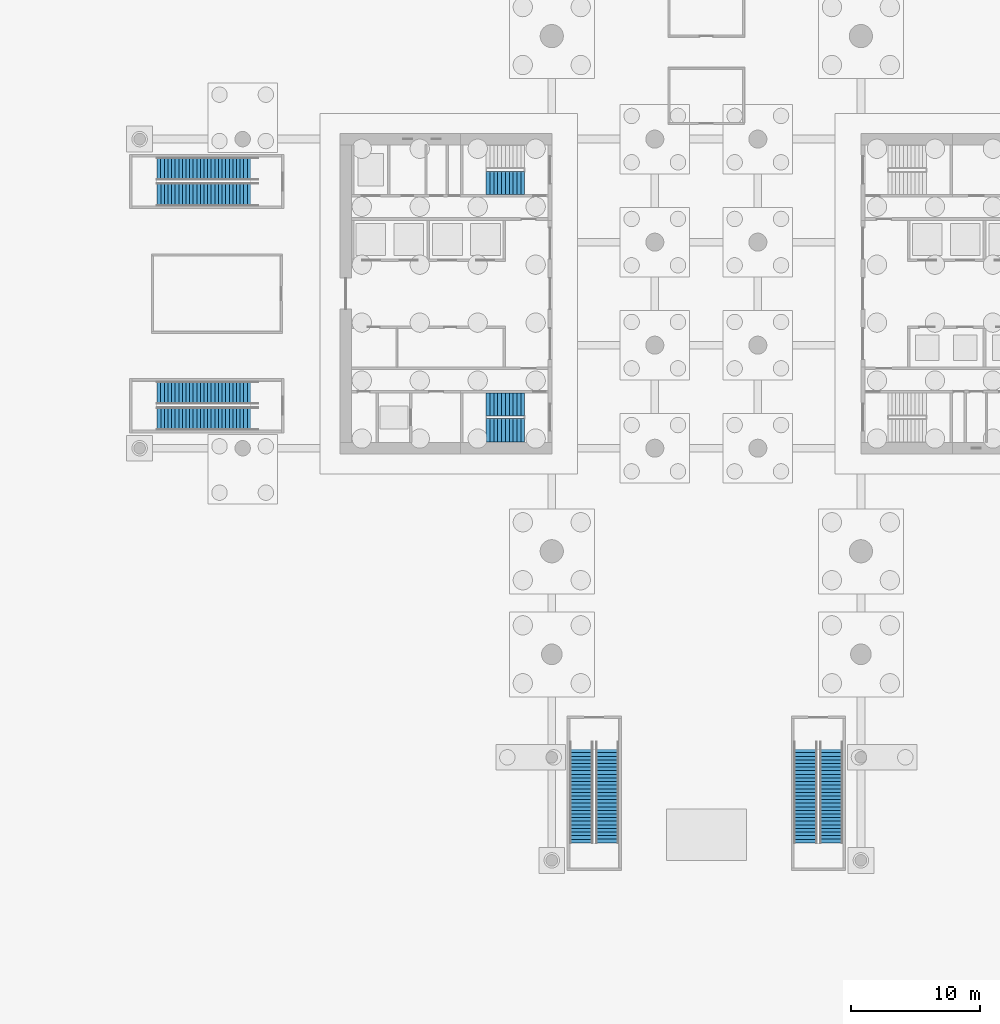
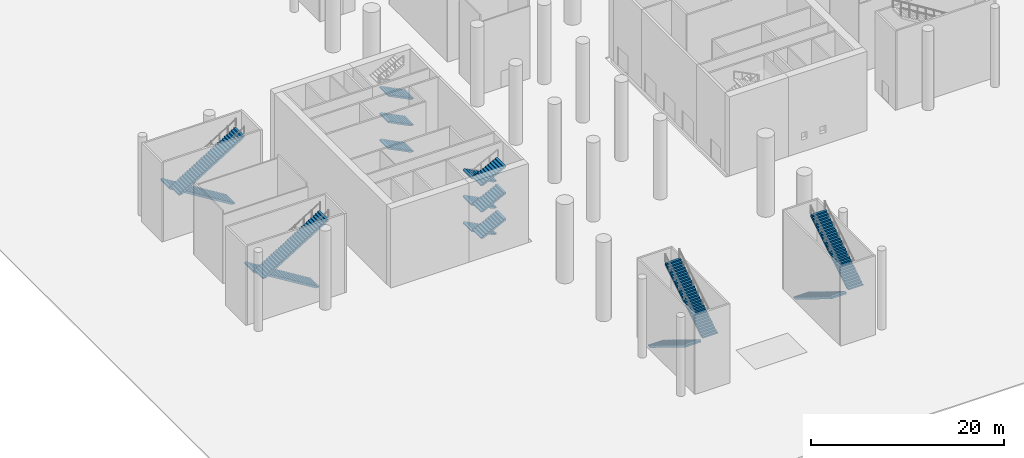
# One storey, part 8 of 14: 17 stair flights, 6 elements without a shape of their own.
"""IFC4 building model written with IfcOpenShell, lengths in metres."""

import ifcopenshell
import ifcopenshell.guid

model = None  # the IFC model being written
_history = None  # IfcOwnerHistory: only IFC2X3 demands one
_inside = {}  # id of a spatial element -> (the spatial element, [elements in it])
_under = {}  # id of a project, library or spatial element -> (it, [spatial elements below it])
_declared = {}  # id of a project -> (the project, [libraries it declares])
_typed = {}  # id of a type object -> (the type object, [elements of that type])
_made_of = {}  # id of a material, layer set ... -> (it, [elements and type objects made of it])


def new_model(schema):
    """Start an empty IFC model of exactly this schema.

    Asked for "IFC4X3", IfcOpenShell would pick the latest addendum, in which some entities
    have other attributes; the version numbers below select the first issue.
    IFC2X3 requires an IfcOwnerHistory on every rooted entity: one is made here for all.
    """
    global model, _history
    if schema == "IFC4X3":
        model = ifcopenshell.file(schema_version=(4, 3, 0, 0))
    else:
        model = ifcopenshell.file(schema=schema)
    _inside.clear()
    _under.clear()
    _declared.clear()
    _typed.clear()
    _made_of.clear()
    _history = None
    if model.schema == "IFC2X3":
        org = make("IfcOrganization", Name="unknown")
        user = make(
            "IfcPersonAndOrganization",
            ThePerson=make("IfcPerson", FamilyName="unknown"),
            TheOrganization=org,
        )
        app = make(
            "IfcApplication",
            ApplicationDeveloper=org,
            Version="unknown",
            ApplicationFullName="unknown",
            ApplicationIdentifier="unknown",
        )
        _history = make(
            "IfcOwnerHistory",
            OwningUser=user,
            OwningApplication=app,
            ChangeAction="ADDED",
            CreationDate=0,
        )
    return model


def make(cls, **values):
    """One entity of the class cls with the attributes given. An attribute that is None is left unset."""
    return model.create_entity(
        cls, **{name: value for name, value in values.items() if value is not None}
    )


def rooted(cls, **values):
    """An entity with a GlobalId (a new one), such as an element, a storey or a relation."""
    return make(cls, GlobalId=ifcopenshell.guid.new(), OwnerHistory=_history, **values)


def si_unit(unit_type, name, prefix=None):
    """IfcSIUnit, for example si_unit("LENGTHUNIT", "METRE", prefix="MILLI")."""
    return make("IfcSIUnit", UnitType=unit_type, Prefix=prefix, Name=name)


def assignment(units):
    """IfcUnitAssignment: the units of a project."""
    return None if units is None else make("IfcUnitAssignment", Units=units)


def point(xyz):
    """IfcCartesianPoint."""
    return None if xyz is None else make("IfcCartesianPoint", Coordinates=xyz)


def direction(xyz):
    """IfcDirection."""
    return None if xyz is None else make("IfcDirection", DirectionRatios=xyz)


def frame(location, z_axis=None, x_axis=None):
    """IfcAxis2Placement3D, a coordinate frame: its origin and axes. An axis left out is left unset."""
    return make(
        "IfcAxis2Placement3D",
        Location=point(location),
        Axis=direction(z_axis),
        RefDirection=direction(x_axis),
    )


def origin():
    """The frame at (0, 0, 0) with its axes left unset."""
    return frame((0.0, 0.0, 0.0))


def place(relative_to, where):
    """IfcLocalPlacement: puts the frame where relative to a parent placement (None: the world)."""
    return make(
        "IfcLocalPlacement", PlacementRelTo=relative_to, RelativePlacement=where
    )


def context(
    kind, dimensions, precision=None, world=None, true_north=None, identifier=None
):
    """IfcGeometricRepresentationContext, for example the 3D "Model" context."""
    return make(
        "IfcGeometricRepresentationContext",
        ContextIdentifier=identifier,
        ContextType=kind,
        CoordinateSpaceDimension=dimensions,
        Precision=precision,
        WorldCoordinateSystem=world,
        TrueNorth=true_north,
    )


def subcontext(parent, identifier, kind, view, scale=None):
    """IfcGeometricRepresentationSubContext, for example "Body" below "Model"."""
    return make(
        "IfcGeometricRepresentationSubContext",
        ContextIdentifier=identifier,
        ContextType=kind,
        ParentContext=parent,
        TargetScale=scale,
        TargetView=view,
    )


def project(units=None, contexts=None):
    """IfcProject with its units and contexts."""
    return rooted(
        "IfcProject",
        Name="project",
        RepresentationContexts=contexts,
        UnitsInContext=assignment(units),
    )


def spatial(cls, under=None, at=None, **own):
    """A site, building, storey or space (cls), placed at a placement, below another one or the project."""
    s = rooted(cls, ObjectPlacement=at, **own)
    if under is not None:
        _under.setdefault(under.id(), (under, []))[1].append(s)
    return s


def polyline(points):
    """IfcPolyline through the points."""
    return make("IfcPolyline", Points=[point(p) for p in points])


def outline(outer, holes=None, kind="AREA"):
    """IfcArbitraryClosedProfileDef: a profile drawn as a closed curve; with holes, ...WithVoids."""
    if holes is None:
        return make("IfcArbitraryClosedProfileDef", ProfileType=kind, OuterCurve=outer)
    return make(
        "IfcArbitraryProfileDefWithVoids",
        ProfileType=kind,
        OuterCurve=outer,
        InnerCurves=holes,
    )


def extrude(swept, where, along, depth):
    """IfcExtrudedAreaSolid: the profile swept, set in the frame where, extruded along a direction by depth."""
    return make(
        "IfcExtrudedAreaSolid",
        SweptArea=swept,
        Position=where,
        ExtrudedDirection=direction(along),
        Depth=depth,
    )


def shape(context_of_items, identifier, shape_type, items):
    """IfcShapeRepresentation: the items that make up one representation, for example the "Body"."""
    return make(
        "IfcShapeRepresentation",
        ContextOfItems=context_of_items,
        RepresentationIdentifier=identifier,
        RepresentationType=shape_type,
        Items=items,
    )


def material(Name=None, Category=None):
    """IfcMaterial."""
    return make("IfcMaterial", Name=Name, Category=Category)


def made_of(thing, what):
    """Note that an element or type object is made of a material, layer set ...; save() writes the relation."""
    if what is not None:
        _made_of.setdefault(what.id(), (what, []))[1].append(thing)
    return thing


def type_object(cls, material=None, **own):
    """A type object (cls), such as IfcWallType, which elements share."""
    return made_of(rooted(cls, **own), material)


def element(
    cls,
    number,
    at=None,
    inside=None,
    cuts=None,
    type_object=None,
    material=None,
    context=None,
    identifier="Body",
    shape_type=None,
    held_by="IfcProductDefinitionShape",
    body=None,
    shapes=None,
    **own,
):
    """One element of the class cls, such as IfcWall. Its Tag is "e" and its number.

    at: its placement. inside: the storey or other place that contains it. cuts: it is an
    opening in that element (IfcRelVoidsElement). A single representation is given by context,
    identifier, shape_type and body (its items); several are given by shapes. held_by: the class
    of the entity that holds the representations. save() writes the other relations.
    """
    e = rooted(cls, Tag="e%d" % number, ObjectPlacement=at, **own)
    if body is not None:
        shapes = [shape(context, identifier, shape_type, body)]
    if shapes is not None:
        e.Representation = make(held_by, Representations=shapes)
    if inside is not None:
        _inside.setdefault(inside.id(), (inside, []))[1].append(e)
    if cuts is not None:
        rooted(
            "IfcRelVoidsElement", RelatingBuildingElement=cuts, RelatedOpeningElement=e
        )
    if type_object is not None:
        _typed.setdefault(type_object.id(), (type_object, []))[1].append(e)
    return made_of(e, material)


def aggregate(whole, parts):
    """IfcRelAggregates: a whole, such as a stair, and the parts it consists of."""
    return rooted("IfcRelAggregates", RelatingObject=whole, RelatedObjects=parts)


def save(model, path):
    """Write the relations noted so far, then the file.

    IfcRelAggregates (storeys below a building ...), IfcRelContainedInSpatialStructure (elements
    in a storey), IfcRelDefinesByType, IfcRelAssociatesMaterial and IfcRelDeclares: one each for
    every whole, place, type object, material and project.
    """
    for whole, parts in _under.values():
        aggregate(whole, parts)
    for where, things in _inside.values():
        rooted(
            "IfcRelContainedInSpatialStructure",
            RelatedElements=things,
            RelatingStructure=where,
        )
    for kind, things in _typed.values():
        rooted("IfcRelDefinesByType", RelatedObjects=things, RelatingType=kind)
    for what, things in _made_of.values():
        rooted("IfcRelAssociatesMaterial", RelatedObjects=things, RelatingMaterial=what)
    for by, libraries in _declared.values():
        rooted("IfcRelDeclares", RelatingContext=by, RelatedDefinitions=libraries)
    model.write(path)


model = new_model("IFC4")

# Units and contexts
model_context = context("Model", 3, precision=1e-05, world=origin(), true_north=direction((0.0, 1.0)))
body_context = subcontext(model_context, "Body", "Model", "MODEL_VIEW")
ifc_project = project(units=[si_unit("LENGTHUNIT", "METRE"), si_unit("AREAUNIT", "SQUARE_METRE"), si_unit("VOLUMEUNIT", "CUBIC_METRE"), si_unit("PLANEANGLEUNIT", "RADIAN"), si_unit("MASSUNIT", "GRAM", prefix="KILO")], contexts=[model_context])

# Site, building, storey
site_placement = place(None, origin())
site = spatial("IfcSite", under=ifc_project, at=site_placement, CompositionType="ELEMENT")
building_placement = place(site_placement, origin())
building = spatial("IfcBuilding", under=site, at=building_placement, Name="Crosswind Convention Tower", CompositionType="ELEMENT")
storey_placement = place(building_placement, origin())
storey = spatial("IfcBuildingStorey", under=building, at=storey_placement, Name="L00", CompositionType="ELEMENT", Elevation=0.0)

# Stair, stair flights
ifc_material = material(Name="Concrete C40/50", Category="concrete")
stair_type_1 = type_object("IfcStairType", Name="PODIUM EXIT STAIR 10000 RISE", PredefinedType="HALF_TURN_STAIR", material=ifc_material)
stair_1_placement = place(storey_placement, origin())
stair_1 = element("IfcStair", 1, at=stair_1_placement, inside=storey, type_object=stair_type_1, Name="Exit stair S1 L00", ObjectType="ST10", PredefinedType="HALF_TURN_STAIR")
stair_flight_type_1 = type_object("IfcStairFlightType", Name="PODIUM STAIR FLIGHT 29 RISERS", PredefinedType="STRAIGHT", material=ifc_material)
stair_flight_1_placement = place(storey_placement, frame((115.300048828125, 65.199951171875, 0.0), z_axis=(0.0, 0.0, 1.0), x_axis=(0.0, -1.0, 0.0)))
stair_flight_1 = element("IfcStairFlight", 2, at=stair_flight_1_placement, type_object=stair_flight_type_1, Name="ST10 flight 1", NumberOfRisers=29, NumberOfTreads=28, PredefinedType="STRAIGHT", RiserHeight=0.172414, TreadLength=0.28, context=body_context, shape_type="SweptSolid", body=[
    extrude(outline(polyline([(0.0, 0.0), (0.0, 0.17236328125), (0.280029296875, 0.17236328125), (0.280029296875, 0.3447265625), (0.56005859375, 0.3447265625), (0.56005859375, 0.517333984375), (0.840087890625, 0.517333984375), (0.840087890625, 0.689697265625), (1.1201171875, 0.689697265625), (1.1201171875, 0.862060546875), (1.39990234375, 0.862060546875), (1.39990234375, 1.034423828125), (1.679931640625, 1.034423828125), (1.679931640625, 1.206787109375), (1.9599609375, 1.206787109375), (1.9599609375, 1.37939453125), (2.239990234375, 1.37939453125), (2.239990234375, 1.5517578125), (2.52001953125, 1.5517578125), (2.52001953125, 1.72412109375), (2.800048828125, 1.72412109375), (2.800048828125, 1.896484375), (3.080078125, 1.896484375), (3.080078125, 2.06884765625), (3.360107421875, 2.06884765625), (3.360107421875, 2.241455078125), (3.639892578125, 2.241455078125), (3.639892578125, 2.413818359375), (3.919921875, 2.413818359375), (3.919921875, 2.586181640625), (4.199951171875, 2.586181640625), (4.199951171875, 2.758544921875), (4.47998046875, 2.758544921875), (4.47998046875, 2.93115234375), (4.760009765625, 2.93115234375), (4.760009765625, 3.103515625), (5.0400390625, 3.103515625), (5.0400390625, 3.27587890625), (5.320068359375, 3.27587890625), (5.320068359375, 3.4482421875), (5.60009765625, 3.4482421875), (5.60009765625, 3.62060546875), (5.8798828125, 3.62060546875), (5.8798828125, 3.793212890625), (6.159912109375, 3.793212890625), (6.159912109375, 3.965576171875), (6.43994140625, 3.965576171875), (6.43994140625, 4.137939453125), (6.719970703125, 4.137939453125), (6.719970703125, 4.310302734375), (7.0, 4.310302734375), (7.0, 4.482666015625), (7.280029296875, 4.482666015625), (7.280029296875, 4.6552734375), (7.56005859375, 4.6552734375), (7.56005859375, 4.82763671875), (7.840087890625, 4.82763671875), (7.840087890625, 5.0), (7.840087890625, 4.5927734375), (0.38134765625, 0.0), (0.0, 0.0)])), frame((0.0, 0.89990234375, 0.0), z_axis=(0.0, -1.0, 0.0), x_axis=(1.0, 0.0, 0.0)), (0.0, 0.0, 1.0), 1.800048828125),
])
stair_flight_2_placement = place(storey_placement, frame((117.300048828125, 57.360107421875, 5.0), z_axis=(0.0, 0.0, 1.0), x_axis=(0.0, 1.0, 0.0)))
stair_flight_2 = element("IfcStairFlight", 3, at=stair_flight_2_placement, type_object=stair_flight_type_1, Name="ST10 flight 2", NumberOfRisers=29, NumberOfTreads=28, PredefinedType="STRAIGHT", RiserHeight=0.172414, TreadLength=0.28, context=body_context, shape_type="SweptSolid", body=[
    extrude(outline(polyline([(0.0, 0.0), (0.0, 0.17236328125), (0.280029296875, 0.17236328125), (0.280029296875, 0.3447265625), (0.56005859375, 0.3447265625), (0.56005859375, 0.517333984375), (0.840087890625, 0.517333984375), (0.840087890625, 0.689697265625), (1.1201171875, 0.689697265625), (1.1201171875, 0.862060546875), (1.39990234375, 0.862060546875), (1.39990234375, 1.034423828125), (1.679931640625, 1.034423828125), (1.679931640625, 1.206787109375), (1.9599609375, 1.206787109375), (1.9599609375, 1.37939453125), (2.239990234375, 1.37939453125), (2.239990234375, 1.5517578125), (2.52001953125, 1.5517578125), (2.52001953125, 1.72412109375), (2.800048828125, 1.72412109375), (2.800048828125, 1.896484375), (3.080078125, 1.896484375), (3.080078125, 2.06884765625), (3.360107421875, 2.06884765625), (3.360107421875, 2.241455078125), (3.639892578125, 2.241455078125), (3.639892578125, 2.413818359375), (3.919921875, 2.413818359375), (3.919921875, 2.586181640625), (4.199951171875, 2.586181640625), (4.199951171875, 2.758544921875), (4.47998046875, 2.758544921875), (4.47998046875, 2.93115234375), (4.760009765625, 2.93115234375), (4.760009765625, 3.103515625), (5.0400390625, 3.103515625), (5.0400390625, 3.27587890625), (5.320068359375, 3.27587890625), (5.320068359375, 3.4482421875), (5.60009765625, 3.4482421875), (5.60009765625, 3.62060546875), (5.8798828125, 3.62060546875), (5.8798828125, 3.793212890625), (6.159912109375, 3.793212890625), (6.159912109375, 3.965576171875), (6.43994140625, 3.965576171875), (6.43994140625, 4.137939453125), (6.719970703125, 4.137939453125), (6.719970703125, 4.310302734375), (7.0, 4.310302734375), (7.0, 4.482666015625), (7.280029296875, 4.482666015625), (7.280029296875, 4.6552734375), (7.56005859375, 4.6552734375), (7.56005859375, 4.82763671875), (7.840087890625, 4.82763671875), (7.840087890625, 5.0), (7.840087890625, 4.5927734375), (0.38134765625, 0.0), (0.0, 0.0)])), frame((0.0, 0.89990234375, 0.0), z_axis=(0.0, -1.0, 0.0), x_axis=(1.0, 0.0, 0.0)), (0.0, 0.0, 1.0), 1.800048828125),
])
aggregate(stair_1, [stair_flight_1, stair_flight_2])

stair_2_placement = place(storey_placement, origin())
stair_2 = element("IfcStair", 4, at=stair_2_placement, inside=storey, type_object=stair_type_1, Name="Exit stair S2 L00", ObjectType="ST10", PredefinedType="HALF_TURN_STAIR")
stair_flight_3_placement = place(storey_placement, frame((132.699951171875, 65.199951171875, 0.0), z_axis=(0.0, 0.0, 1.0), x_axis=(0.0, -1.0, 0.0)))
stair_flight_3 = element("IfcStairFlight", 5, at=stair_flight_3_placement, type_object=stair_flight_type_1, Name="ST10 flight 1", NumberOfRisers=29, NumberOfTreads=28, PredefinedType="STRAIGHT", RiserHeight=0.172414, TreadLength=0.28, context=body_context, shape_type="SweptSolid", body=[
    extrude(outline(polyline([(0.0, 0.0), (0.0, 0.17236328125), (0.280029296875, 0.17236328125), (0.280029296875, 0.3447265625), (0.56005859375, 0.3447265625), (0.56005859375, 0.517333984375), (0.840087890625, 0.517333984375), (0.840087890625, 0.689697265625), (1.1201171875, 0.689697265625), (1.1201171875, 0.862060546875), (1.39990234375, 0.862060546875), (1.39990234375, 1.034423828125), (1.679931640625, 1.034423828125), (1.679931640625, 1.206787109375), (1.9599609375, 1.206787109375), (1.9599609375, 1.37939453125), (2.239990234375, 1.37939453125), (2.239990234375, 1.5517578125), (2.52001953125, 1.5517578125), (2.52001953125, 1.72412109375), (2.800048828125, 1.72412109375), (2.800048828125, 1.896484375), (3.080078125, 1.896484375), (3.080078125, 2.06884765625), (3.360107421875, 2.06884765625), (3.360107421875, 2.241455078125), (3.639892578125, 2.241455078125), (3.639892578125, 2.413818359375), (3.919921875, 2.413818359375), (3.919921875, 2.586181640625), (4.199951171875, 2.586181640625), (4.199951171875, 2.758544921875), (4.47998046875, 2.758544921875), (4.47998046875, 2.93115234375), (4.760009765625, 2.93115234375), (4.760009765625, 3.103515625), (5.0400390625, 3.103515625), (5.0400390625, 3.27587890625), (5.320068359375, 3.27587890625), (5.320068359375, 3.4482421875), (5.60009765625, 3.4482421875), (5.60009765625, 3.62060546875), (5.8798828125, 3.62060546875), (5.8798828125, 3.793212890625), (6.159912109375, 3.793212890625), (6.159912109375, 3.965576171875), (6.43994140625, 3.965576171875), (6.43994140625, 4.137939453125), (6.719970703125, 4.137939453125), (6.719970703125, 4.310302734375), (7.0, 4.310302734375), (7.0, 4.482666015625), (7.280029296875, 4.482666015625), (7.280029296875, 4.6552734375), (7.56005859375, 4.6552734375), (7.56005859375, 4.82763671875), (7.840087890625, 4.82763671875), (7.840087890625, 5.0), (7.840087890625, 4.5927734375), (0.38134765625, 0.0), (0.0, 0.0)])), frame((0.0, 0.89990234375, 0.0), z_axis=(0.0, -1.0, 0.0), x_axis=(1.0, 0.0, 0.0)), (0.0, 0.0, 1.0), 1.800048828125),
])
stair_flight_4_placement = place(storey_placement, frame((134.699951171875, 57.360107421875, 5.0), z_axis=(0.0, 0.0, 1.0), x_axis=(0.0, 1.0, 0.0)))
stair_flight_4 = element("IfcStairFlight", 6, at=stair_flight_4_placement, type_object=stair_flight_type_1, Name="ST10 flight 2", NumberOfRisers=29, NumberOfTreads=28, PredefinedType="STRAIGHT", RiserHeight=0.172414, TreadLength=0.28, context=body_context, shape_type="SweptSolid", body=[
    extrude(outline(polyline([(0.0, 0.0), (0.0, 0.17236328125), (0.280029296875, 0.17236328125), (0.280029296875, 0.3447265625), (0.56005859375, 0.3447265625), (0.56005859375, 0.517333984375), (0.840087890625, 0.517333984375), (0.840087890625, 0.689697265625), (1.1201171875, 0.689697265625), (1.1201171875, 0.862060546875), (1.39990234375, 0.862060546875), (1.39990234375, 1.034423828125), (1.679931640625, 1.034423828125), (1.679931640625, 1.206787109375), (1.9599609375, 1.206787109375), (1.9599609375, 1.37939453125), (2.239990234375, 1.37939453125), (2.239990234375, 1.5517578125), (2.52001953125, 1.5517578125), (2.52001953125, 1.72412109375), (2.800048828125, 1.72412109375), (2.800048828125, 1.896484375), (3.080078125, 1.896484375), (3.080078125, 2.06884765625), (3.360107421875, 2.06884765625), (3.360107421875, 2.241455078125), (3.639892578125, 2.241455078125), (3.639892578125, 2.413818359375), (3.919921875, 2.413818359375), (3.919921875, 2.586181640625), (4.199951171875, 2.586181640625), (4.199951171875, 2.758544921875), (4.47998046875, 2.758544921875), (4.47998046875, 2.93115234375), (4.760009765625, 2.93115234375), (4.760009765625, 3.103515625), (5.0400390625, 3.103515625), (5.0400390625, 3.27587890625), (5.320068359375, 3.27587890625), (5.320068359375, 3.4482421875), (5.60009765625, 3.4482421875), (5.60009765625, 3.62060546875), (5.8798828125, 3.62060546875), (5.8798828125, 3.793212890625), (6.159912109375, 3.793212890625), (6.159912109375, 3.965576171875), (6.43994140625, 3.965576171875), (6.43994140625, 4.137939453125), (6.719970703125, 4.137939453125), (6.719970703125, 4.310302734375), (7.0, 4.310302734375), (7.0, 4.482666015625), (7.280029296875, 4.482666015625), (7.280029296875, 4.6552734375), (7.56005859375, 4.6552734375), (7.56005859375, 4.82763671875), (7.840087890625, 4.82763671875), (7.840087890625, 5.0), (7.840087890625, 4.5927734375), (0.38134765625, 0.0), (0.0, 0.0)])), frame((0.0, 0.89990234375, 0.0), z_axis=(0.0, -1.0, 0.0), x_axis=(1.0, 0.0, 0.0)), (0.0, 0.0, 1.0), 1.800048828125),
])
aggregate(stair_2, [stair_flight_3, stair_flight_4])

stair_3_placement = place(storey_placement, origin())
stair_3 = element("IfcStair", 7, at=stair_3_placement, inside=storey, type_object=stair_type_1, Name="Exit stair W1 L00", ObjectType="ST10", PredefinedType="HALF_TURN_STAIR")
stair_flight_5_placement = place(storey_placement, frame((90.199951171875, 92.300048828125, 0.0), z_axis=(0.0, 0.0, 1.0), x_axis=(-1.0, 0.0, 0.0)))
stair_flight_5 = element("IfcStairFlight", 8, at=stair_flight_5_placement, type_object=stair_flight_type_1, Name="ST10 flight 1", NumberOfRisers=29, NumberOfTreads=28, PredefinedType="STRAIGHT", RiserHeight=0.172414, TreadLength=0.28, context=body_context, shape_type="SweptSolid", body=[
    extrude(outline(polyline([(0.0, 0.0), (0.0, 0.17236328125), (0.280029296875, 0.17236328125), (0.280029296875, 0.3447265625), (0.56005859375, 0.3447265625), (0.56005859375, 0.517333984375), (0.840087890625, 0.517333984375), (0.840087890625, 0.689697265625), (1.1201171875, 0.689697265625), (1.1201171875, 0.862060546875), (1.39990234375, 0.862060546875), (1.39990234375, 1.034423828125), (1.679931640625, 1.034423828125), (1.679931640625, 1.206787109375), (1.9599609375, 1.206787109375), (1.9599609375, 1.37939453125), (2.239990234375, 1.37939453125), (2.239990234375, 1.5517578125), (2.52001953125, 1.5517578125), (2.52001953125, 1.72412109375), (2.800048828125, 1.72412109375), (2.800048828125, 1.896484375), (3.080078125, 1.896484375), (3.080078125, 2.06884765625), (3.360107421875, 2.06884765625), (3.360107421875, 2.241455078125), (3.639892578125, 2.241455078125), (3.639892578125, 2.413818359375), (3.919921875, 2.413818359375), (3.919921875, 2.586181640625), (4.199951171875, 2.586181640625), (4.199951171875, 2.758544921875), (4.47998046875, 2.758544921875), (4.47998046875, 2.93115234375), (4.760009765625, 2.93115234375), (4.760009765625, 3.103515625), (5.0400390625, 3.103515625), (5.0400390625, 3.27587890625), (5.320068359375, 3.27587890625), (5.320068359375, 3.4482421875), (5.60009765625, 3.4482421875), (5.60009765625, 3.62060546875), (5.8798828125, 3.62060546875), (5.8798828125, 3.793212890625), (6.159912109375, 3.793212890625), (6.159912109375, 3.965576171875), (6.43994140625, 3.965576171875), (6.43994140625, 4.137939453125), (6.719970703125, 4.137939453125), (6.719970703125, 4.310302734375), (7.0, 4.310302734375), (7.0, 4.482666015625), (7.280029296875, 4.482666015625), (7.280029296875, 4.6552734375), (7.56005859375, 4.6552734375), (7.56005859375, 4.82763671875), (7.840087890625, 4.82763671875), (7.840087890625, 5.0), (7.840087890625, 4.5927734375), (0.38134765625, 0.0), (0.0, 0.0)])), frame((0.0, 0.89990234375, 0.0), z_axis=(0.0, -1.0, 0.0), x_axis=(1.0, 0.0, 0.0)), (0.0, 0.0, 1.0), 1.800048828125),
])
stair_flight_6_placement = place(storey_placement, frame((82.360107421875, 90.300048828125, 5.0), z_axis=(0.0, 0.0, 1.0), x_axis=(1.0, 0.0, 0.0)))
stair_flight_6 = element("IfcStairFlight", 9, at=stair_flight_6_placement, type_object=stair_flight_type_1, Name="ST10 flight 2", NumberOfRisers=29, NumberOfTreads=28, PredefinedType="STRAIGHT", RiserHeight=0.172414, TreadLength=0.28, context=body_context, shape_type="SweptSolid", body=[
    extrude(outline(polyline([(0.0, 0.0), (0.0, 0.17236328125), (0.280029296875, 0.17236328125), (0.280029296875, 0.3447265625), (0.56005859375, 0.3447265625), (0.56005859375, 0.517333984375), (0.840087890625, 0.517333984375), (0.840087890625, 0.689697265625), (1.1201171875, 0.689697265625), (1.1201171875, 0.862060546875), (1.39990234375, 0.862060546875), (1.39990234375, 1.034423828125), (1.679931640625, 1.034423828125), (1.679931640625, 1.206787109375), (1.9599609375, 1.206787109375), (1.9599609375, 1.37939453125), (2.239990234375, 1.37939453125), (2.239990234375, 1.5517578125), (2.52001953125, 1.5517578125), (2.52001953125, 1.72412109375), (2.800048828125, 1.72412109375), (2.800048828125, 1.896484375), (3.080078125, 1.896484375), (3.080078125, 2.06884765625), (3.360107421875, 2.06884765625), (3.360107421875, 2.241455078125), (3.639892578125, 2.241455078125), (3.639892578125, 2.413818359375), (3.919921875, 2.413818359375), (3.919921875, 2.586181640625), (4.199951171875, 2.586181640625), (4.199951171875, 2.758544921875), (4.47998046875, 2.758544921875), (4.47998046875, 2.93115234375), (4.760009765625, 2.93115234375), (4.760009765625, 3.103515625), (5.0400390625, 3.103515625), (5.0400390625, 3.27587890625), (5.320068359375, 3.27587890625), (5.320068359375, 3.4482421875), (5.60009765625, 3.4482421875), (5.60009765625, 3.62060546875), (5.8798828125, 3.62060546875), (5.8798828125, 3.793212890625), (6.159912109375, 3.793212890625), (6.159912109375, 3.965576171875), (6.43994140625, 3.965576171875), (6.43994140625, 4.137939453125), (6.719970703125, 4.137939453125), (6.719970703125, 4.310302734375), (7.0, 4.310302734375), (7.0, 4.482666015625), (7.280029296875, 4.482666015625), (7.280029296875, 4.6552734375), (7.56005859375, 4.6552734375), (7.56005859375, 4.82763671875), (7.840087890625, 4.82763671875), (7.840087890625, 5.0), (7.840087890625, 4.5927734375), (0.38134765625, 0.0), (0.0, 0.0)])), frame((0.0, 0.89990234375, 0.0), z_axis=(0.0, -1.0, 0.0), x_axis=(1.0, 0.0, 0.0)), (0.0, 0.0, 1.0), 1.800048828125),
])
aggregate(stair_3, [stair_flight_5, stair_flight_6])

stair_4_placement = place(storey_placement, origin())
stair_4 = element("IfcStair", 10, at=stair_4_placement, inside=storey, type_object=stair_type_1, Name="Exit stair W2 L00", ObjectType="ST10", PredefinedType="HALF_TURN_STAIR")
stair_flight_7_placement = place(storey_placement, frame((90.199951171875, 109.699951171875, 0.0), z_axis=(0.0, 0.0, 1.0), x_axis=(-1.0, 0.0, 0.0)))
stair_flight_7 = element("IfcStairFlight", 11, at=stair_flight_7_placement, type_object=stair_flight_type_1, Name="ST10 flight 1", NumberOfRisers=29, NumberOfTreads=28, PredefinedType="STRAIGHT", RiserHeight=0.172414, TreadLength=0.28, context=body_context, shape_type="SweptSolid", body=[
    extrude(outline(polyline([(0.0, 0.0), (0.0, 0.17236328125), (0.280029296875, 0.17236328125), (0.280029296875, 0.3447265625), (0.56005859375, 0.3447265625), (0.56005859375, 0.517333984375), (0.840087890625, 0.517333984375), (0.840087890625, 0.689697265625), (1.1201171875, 0.689697265625), (1.1201171875, 0.862060546875), (1.39990234375, 0.862060546875), (1.39990234375, 1.034423828125), (1.679931640625, 1.034423828125), (1.679931640625, 1.206787109375), (1.9599609375, 1.206787109375), (1.9599609375, 1.37939453125), (2.239990234375, 1.37939453125), (2.239990234375, 1.5517578125), (2.52001953125, 1.5517578125), (2.52001953125, 1.72412109375), (2.800048828125, 1.72412109375), (2.800048828125, 1.896484375), (3.080078125, 1.896484375), (3.080078125, 2.06884765625), (3.360107421875, 2.06884765625), (3.360107421875, 2.241455078125), (3.639892578125, 2.241455078125), (3.639892578125, 2.413818359375), (3.919921875, 2.413818359375), (3.919921875, 2.586181640625), (4.199951171875, 2.586181640625), (4.199951171875, 2.758544921875), (4.47998046875, 2.758544921875), (4.47998046875, 2.93115234375), (4.760009765625, 2.93115234375), (4.760009765625, 3.103515625), (5.0400390625, 3.103515625), (5.0400390625, 3.27587890625), (5.320068359375, 3.27587890625), (5.320068359375, 3.4482421875), (5.60009765625, 3.4482421875), (5.60009765625, 3.62060546875), (5.8798828125, 3.62060546875), (5.8798828125, 3.793212890625), (6.159912109375, 3.793212890625), (6.159912109375, 3.965576171875), (6.43994140625, 3.965576171875), (6.43994140625, 4.137939453125), (6.719970703125, 4.137939453125), (6.719970703125, 4.310302734375), (7.0, 4.310302734375), (7.0, 4.482666015625), (7.280029296875, 4.482666015625), (7.280029296875, 4.6552734375), (7.56005859375, 4.6552734375), (7.56005859375, 4.82763671875), (7.840087890625, 4.82763671875), (7.840087890625, 5.0), (7.840087890625, 4.5927734375), (0.38134765625, 0.0), (0.0, 0.0)])), frame((0.0, 0.89990234375, 0.0), z_axis=(0.0, -1.0, 0.0), x_axis=(1.0, 0.0, 0.0)), (0.0, 0.0, 1.0), 1.800048828125),
])
stair_flight_8_placement = place(storey_placement, frame((82.360107421875, 107.699951171875, 5.0), z_axis=(0.0, 0.0, 1.0), x_axis=(1.0, 0.0, 0.0)))
stair_flight_8 = element("IfcStairFlight", 12, at=stair_flight_8_placement, type_object=stair_flight_type_1, Name="ST10 flight 2", NumberOfRisers=29, NumberOfTreads=28, PredefinedType="STRAIGHT", RiserHeight=0.172414, TreadLength=0.28, context=body_context, shape_type="SweptSolid", body=[
    extrude(outline(polyline([(0.0, 0.0), (0.0, 0.17236328125), (0.280029296875, 0.17236328125), (0.280029296875, 0.3447265625), (0.56005859375, 0.3447265625), (0.56005859375, 0.517333984375), (0.840087890625, 0.517333984375), (0.840087890625, 0.689697265625), (1.1201171875, 0.689697265625), (1.1201171875, 0.862060546875), (1.39990234375, 0.862060546875), (1.39990234375, 1.034423828125), (1.679931640625, 1.034423828125), (1.679931640625, 1.206787109375), (1.9599609375, 1.206787109375), (1.9599609375, 1.37939453125), (2.239990234375, 1.37939453125), (2.239990234375, 1.5517578125), (2.52001953125, 1.5517578125), (2.52001953125, 1.72412109375), (2.800048828125, 1.72412109375), (2.800048828125, 1.896484375), (3.080078125, 1.896484375), (3.080078125, 2.06884765625), (3.360107421875, 2.06884765625), (3.360107421875, 2.241455078125), (3.639892578125, 2.241455078125), (3.639892578125, 2.413818359375), (3.919921875, 2.413818359375), (3.919921875, 2.586181640625), (4.199951171875, 2.586181640625), (4.199951171875, 2.758544921875), (4.47998046875, 2.758544921875), (4.47998046875, 2.93115234375), (4.760009765625, 2.93115234375), (4.760009765625, 3.103515625), (5.0400390625, 3.103515625), (5.0400390625, 3.27587890625), (5.320068359375, 3.27587890625), (5.320068359375, 3.4482421875), (5.60009765625, 3.4482421875), (5.60009765625, 3.62060546875), (5.8798828125, 3.62060546875), (5.8798828125, 3.793212890625), (6.159912109375, 3.793212890625), (6.159912109375, 3.965576171875), (6.43994140625, 3.965576171875), (6.43994140625, 4.137939453125), (6.719970703125, 4.137939453125), (6.719970703125, 4.310302734375), (7.0, 4.310302734375), (7.0, 4.482666015625), (7.280029296875, 4.482666015625), (7.280029296875, 4.6552734375), (7.56005859375, 4.6552734375), (7.56005859375, 4.82763671875), (7.840087890625, 4.82763671875), (7.840087890625, 5.0), (7.840087890625, 4.5927734375), (0.38134765625, 0.0), (0.0, 0.0)])), frame((0.0, 0.89990234375, 0.0), z_axis=(0.0, -1.0, 0.0), x_axis=(1.0, 0.0, 0.0)), (0.0, 0.0, 1.0), 1.800048828125),
])
aggregate(stair_4, [stair_flight_7, stair_flight_8])

stair_type_2 = type_object("IfcStairType", Name="Exit stair 1800 wide, 6 flights of 11 risers", PredefinedType="HALF_TURN_STAIR", material=ifc_material)
stair_5_placement = place(storey_placement, origin())
stair_5 = element("IfcStair", 13, at=stair_5_placement, inside=storey, type_object=stair_type_2, Name="Exit stair ST3 L00", ObjectType="ST7", PredefinedType="HALF_TURN_STAIR")
stair_flight_type_2 = type_object("IfcStairFlightType", Name="Stair flight 1800 wide, 11 risers (SF2)", PredefinedType="STRAIGHT", material=ifc_material)
stair_flight_9_placement = place(storey_placement, frame((110.89990234375, 91.39990234375, 0.0), z_axis=(0.0, 0.0, 1.0), x_axis=(-1.0, 0.0, 0.0)))
stair_flight_9 = element("IfcStairFlight", 14, at=stair_flight_9_placement, type_object=stair_flight_type_2, Name="ST3 flight 1", NumberOfRisers=11, NumberOfTreads=10, PredefinedType="STRAIGHT", RiserHeight=0.151515152, TreadLength=0.3, context=body_context, shape_type="SweptSolid", body=[
    extrude(outline(polyline([(0.0, 0.0), (0.0, 0.151611328125), (0.300048828125, 0.151611328125), (0.300048828125, 0.302978515625), (0.60009765625, 0.302978515625), (0.60009765625, 0.45458984375), (0.89990234375, 0.45458984375), (0.89990234375, 0.60595703125), (1.199951171875, 0.60595703125), (1.199951171875, 0.757568359375), (1.5, 0.757568359375), (1.5, 0.9091796875), (1.800048828125, 0.9091796875), (1.800048828125, 1.060546875), (2.10009765625, 1.060546875), (2.10009765625, 1.212158203125), (2.39990234375, 1.212158203125), (2.39990234375, 1.363525390625), (2.699951171875, 1.363525390625), (2.699951171875, 1.51513671875), (3.0, 1.51513671875), (3.0, 1.666748046875), (3.0, 1.34716796875), (0.33251953125, 0.0), (0.0, 0.0)])), frame((0.0, 0.89990234375, 0.0), z_axis=(0.0, -1.0, 0.0), x_axis=(1.0, 0.0, 0.0)), (0.0, 0.0, 1.0), 1.800048828125),
])
stair_flight_10_placement = place(storey_placement, frame((107.89990234375, 89.39990234375, 1.666748046875), z_axis=(0.0, 0.0, 1.0), x_axis=(1.0, 0.0, 0.0)))
stair_flight_10 = element("IfcStairFlight", 15, at=stair_flight_10_placement, type_object=stair_flight_type_2, Name="ST3 flight 2", NumberOfRisers=11, NumberOfTreads=10, PredefinedType="STRAIGHT", RiserHeight=0.151515152, TreadLength=0.3, context=body_context, shape_type="SweptSolid", body=[
    extrude(outline(polyline([(0.0, 0.0), (0.0, 0.151611328125), (0.300048828125, 0.151611328125), (0.300048828125, 0.302978515625), (0.60009765625, 0.302978515625), (0.60009765625, 0.45458984375), (0.89990234375, 0.45458984375), (0.89990234375, 0.60595703125), (1.199951171875, 0.60595703125), (1.199951171875, 0.757568359375), (1.5, 0.757568359375), (1.5, 0.9091796875), (1.800048828125, 0.9091796875), (1.800048828125, 1.060546875), (2.10009765625, 1.060546875), (2.10009765625, 1.212158203125), (2.39990234375, 1.212158203125), (2.39990234375, 1.363525390625), (2.699951171875, 1.363525390625), (2.699951171875, 1.51513671875), (3.0, 1.51513671875), (3.0, 1.666748046875), (3.0, 1.34716796875), (0.33251953125, 0.0), (0.0, 0.0)])), frame((0.0, 0.89990234375, 0.0), z_axis=(0.0, -1.0, 0.0), x_axis=(1.0, 0.0, 0.0)), (0.0, 0.0, 1.0), 1.800048828125),
])
stair_flight_11_placement = place(storey_placement, frame((110.89990234375, 91.39990234375, 3.333251953125), z_axis=(0.0, 0.0, 1.0), x_axis=(-1.0, 0.0, 0.0)))
stair_flight_11 = element("IfcStairFlight", 16, at=stair_flight_11_placement, type_object=stair_flight_type_2, Name="ST3 flight 3", NumberOfRisers=11, NumberOfTreads=10, PredefinedType="STRAIGHT", RiserHeight=0.151515152, TreadLength=0.3, context=body_context, shape_type="SweptSolid", body=[
    extrude(outline(polyline([(0.0, 0.0), (0.0, 0.151611328125), (0.300048828125, 0.151611328125), (0.300048828125, 0.302978515625), (0.60009765625, 0.302978515625), (0.60009765625, 0.45458984375), (0.89990234375, 0.45458984375), (0.89990234375, 0.60595703125), (1.199951171875, 0.60595703125), (1.199951171875, 0.757568359375), (1.5, 0.757568359375), (1.5, 0.9091796875), (1.800048828125, 0.9091796875), (1.800048828125, 1.060546875), (2.10009765625, 1.060546875), (2.10009765625, 1.212158203125), (2.39990234375, 1.212158203125), (2.39990234375, 1.363525390625), (2.699951171875, 1.363525390625), (2.699951171875, 1.51513671875), (3.0, 1.51513671875), (3.0, 1.666748046875), (3.0, 1.34716796875), (0.33251953125, 0.0), (0.0, 0.0)])), frame((0.0, 0.89990234375, 0.0), z_axis=(0.0, -1.0, 0.0), x_axis=(1.0, 0.0, 0.0)), (0.0, 0.0, 1.0), 1.800048828125),
])
stair_flight_12_placement = place(storey_placement, frame((107.89990234375, 89.39990234375, 5.0), z_axis=(0.0, 0.0, 1.0), x_axis=(1.0, 0.0, 0.0)))
stair_flight_12 = element("IfcStairFlight", 17, at=stair_flight_12_placement, type_object=stair_flight_type_2, Name="ST3 flight 4", NumberOfRisers=11, NumberOfTreads=10, PredefinedType="STRAIGHT", RiserHeight=0.151515152, TreadLength=0.3, context=body_context, shape_type="SweptSolid", body=[
    extrude(outline(polyline([(0.0, 0.0), (0.0, 0.151611328125), (0.300048828125, 0.151611328125), (0.300048828125, 0.302978515625), (0.60009765625, 0.302978515625), (0.60009765625, 0.45458984375), (0.89990234375, 0.45458984375), (0.89990234375, 0.60595703125), (1.199951171875, 0.60595703125), (1.199951171875, 0.757568359375), (1.5, 0.757568359375), (1.5, 0.9091796875), (1.800048828125, 0.9091796875), (1.800048828125, 1.060546875), (2.10009765625, 1.060546875), (2.10009765625, 1.212158203125), (2.39990234375, 1.212158203125), (2.39990234375, 1.363525390625), (2.699951171875, 1.363525390625), (2.699951171875, 1.51513671875), (3.0, 1.51513671875), (3.0, 1.666748046875), (3.0, 1.34716796875), (0.33251953125, 0.0), (0.0, 0.0)])), frame((0.0, 0.89990234375, 0.0), z_axis=(0.0, -1.0, 0.0), x_axis=(1.0, 0.0, 0.0)), (0.0, 0.0, 1.0), 1.800048828125),
])
stair_flight_13_placement = place(storey_placement, frame((110.89990234375, 91.39990234375, 6.666748046875), z_axis=(0.0, 0.0, 1.0), x_axis=(-1.0, 0.0, 0.0)))
stair_flight_13 = element("IfcStairFlight", 18, at=stair_flight_13_placement, type_object=stair_flight_type_2, Name="ST3 flight 5", NumberOfRisers=11, NumberOfTreads=10, PredefinedType="STRAIGHT", RiserHeight=0.151515152, TreadLength=0.3, context=body_context, shape_type="SweptSolid", body=[
    extrude(outline(polyline([(0.0, 0.0), (0.0, 0.151611328125), (0.300048828125, 0.151611328125), (0.300048828125, 0.302978515625), (0.60009765625, 0.302978515625), (0.60009765625, 0.45458984375), (0.89990234375, 0.45458984375), (0.89990234375, 0.60595703125), (1.199951171875, 0.60595703125), (1.199951171875, 0.757568359375), (1.5, 0.757568359375), (1.5, 0.9091796875), (1.800048828125, 0.9091796875), (1.800048828125, 1.060546875), (2.10009765625, 1.060546875), (2.10009765625, 1.212158203125), (2.39990234375, 1.212158203125), (2.39990234375, 1.363525390625), (2.699951171875, 1.363525390625), (2.699951171875, 1.51513671875), (3.0, 1.51513671875), (3.0, 1.666748046875), (3.0, 1.34716796875), (0.33251953125, 0.0), (0.0, 0.0)])), frame((0.0, 0.89990234375, 0.0), z_axis=(0.0, -1.0, 0.0), x_axis=(1.0, 0.0, 0.0)), (0.0, 0.0, 1.0), 1.800048828125),
])
stair_flight_14_placement = place(storey_placement, frame((107.89990234375, 89.39990234375, 8.333251953125), z_axis=(0.0, 0.0, 1.0), x_axis=(1.0, 0.0, 0.0)))
stair_flight_14 = element("IfcStairFlight", 19, at=stair_flight_14_placement, type_object=stair_flight_type_2, Name="ST3 flight 6", NumberOfRisers=11, NumberOfTreads=10, PredefinedType="STRAIGHT", RiserHeight=0.151515152, TreadLength=0.3, context=body_context, shape_type="SweptSolid", body=[
    extrude(outline(polyline([(0.0, 0.0), (0.0, 0.151611328125), (0.300048828125, 0.151611328125), (0.300048828125, 0.302978515625), (0.60009765625, 0.302978515625), (0.60009765625, 0.45458984375), (0.89990234375, 0.45458984375), (0.89990234375, 0.60595703125), (1.199951171875, 0.60595703125), (1.199951171875, 0.757568359375), (1.5, 0.757568359375), (1.5, 0.9091796875), (1.800048828125, 0.9091796875), (1.800048828125, 1.060546875), (2.10009765625, 1.060546875), (2.10009765625, 1.212158203125), (2.39990234375, 1.212158203125), (2.39990234375, 1.363525390625), (2.699951171875, 1.363525390625), (2.699951171875, 1.51513671875), (3.0, 1.51513671875), (3.0, 1.666748046875), (3.0, 1.34716796875), (0.33251953125, 0.0), (0.0, 0.0)])), frame((0.0, 0.89990234375, 0.0), z_axis=(0.0, -1.0, 0.0), x_axis=(1.0, 0.0, 0.0)), (0.0, 0.0, 1.0), 1.800048828125),
])
aggregate(stair_5, [stair_flight_9, stair_flight_10, stair_flight_11, stair_flight_12, stair_flight_13, stair_flight_14])

stair_6_placement = place(storey_placement, origin())
stair_6 = element("IfcStair", 20, at=stair_6_placement, inside=storey, type_object=stair_type_2, Name="Exit stair ST4 L00", ObjectType="ST7", PredefinedType="HALF_TURN_STAIR")
stair_flight_15_placement = place(storey_placement, frame((110.89990234375, 108.60009765625, 0.0), z_axis=(0.0, 0.0, 1.0), x_axis=(-1.0, 0.0, 0.0)))
stair_flight_15 = element("IfcStairFlight", 21, at=stair_flight_15_placement, type_object=stair_flight_type_2, Name="ST4 flight 1", NumberOfRisers=11, NumberOfTreads=10, PredefinedType="STRAIGHT", RiserHeight=0.151515152, TreadLength=0.3, context=body_context, shape_type="SweptSolid", body=[
    extrude(outline(polyline([(0.0, 0.0), (0.0, 0.151611328125), (0.300048828125, 0.151611328125), (0.300048828125, 0.302978515625), (0.60009765625, 0.302978515625), (0.60009765625, 0.45458984375), (0.89990234375, 0.45458984375), (0.89990234375, 0.60595703125), (1.199951171875, 0.60595703125), (1.199951171875, 0.757568359375), (1.5, 0.757568359375), (1.5, 0.9091796875), (1.800048828125, 0.9091796875), (1.800048828125, 1.060546875), (2.10009765625, 1.060546875), (2.10009765625, 1.212158203125), (2.39990234375, 1.212158203125), (2.39990234375, 1.363525390625), (2.699951171875, 1.363525390625), (2.699951171875, 1.51513671875), (3.0, 1.51513671875), (3.0, 1.666748046875), (3.0, 1.34716796875), (0.33251953125, 0.0), (0.0, 0.0)])), frame((0.0, 0.89990234375, 0.0), z_axis=(0.0, -1.0, 0.0), x_axis=(1.0, 0.0, 0.0)), (0.0, 0.0, 1.0), 1.800048828125),
])
stair_flight_16_placement = place(storey_placement, frame((110.89990234375, 108.60009765625, 3.333251953125), z_axis=(0.0, 0.0, 1.0), x_axis=(-1.0, 0.0, 0.0)))
stair_flight_16 = element("IfcStairFlight", 22, at=stair_flight_16_placement, type_object=stair_flight_type_2, Name="ST4 flight 3", NumberOfRisers=11, NumberOfTreads=10, PredefinedType="STRAIGHT", RiserHeight=0.151515152, TreadLength=0.3, context=body_context, shape_type="SweptSolid", body=[
    extrude(outline(polyline([(0.0, 0.0), (0.0, 0.151611328125), (0.300048828125, 0.151611328125), (0.300048828125, 0.302978515625), (0.60009765625, 0.302978515625), (0.60009765625, 0.45458984375), (0.89990234375, 0.45458984375), (0.89990234375, 0.60595703125), (1.199951171875, 0.60595703125), (1.199951171875, 0.757568359375), (1.5, 0.757568359375), (1.5, 0.9091796875), (1.800048828125, 0.9091796875), (1.800048828125, 1.060546875), (2.10009765625, 1.060546875), (2.10009765625, 1.212158203125), (2.39990234375, 1.212158203125), (2.39990234375, 1.363525390625), (2.699951171875, 1.363525390625), (2.699951171875, 1.51513671875), (3.0, 1.51513671875), (3.0, 1.666748046875), (3.0, 1.34716796875), (0.33251953125, 0.0), (0.0, 0.0)])), frame((0.0, 0.89990234375, 0.0), z_axis=(0.0, -1.0, 0.0), x_axis=(1.0, 0.0, 0.0)), (0.0, 0.0, 1.0), 1.800048828125),
])
stair_flight_17_placement = place(storey_placement, frame((110.89990234375, 108.60009765625, 6.666748046875), z_axis=(0.0, 0.0, 1.0), x_axis=(-1.0, 0.0, 0.0)))
stair_flight_17 = element("IfcStairFlight", 23, at=stair_flight_17_placement, type_object=stair_flight_type_2, Name="ST4 flight 5", NumberOfRisers=11, NumberOfTreads=10, PredefinedType="STRAIGHT", RiserHeight=0.151515152, TreadLength=0.3, context=body_context, shape_type="SweptSolid", body=[
    extrude(outline(polyline([(0.0, 0.0), (0.0, 0.151611328125), (0.300048828125, 0.151611328125), (0.300048828125, 0.302978515625), (0.60009765625, 0.302978515625), (0.60009765625, 0.45458984375), (0.89990234375, 0.45458984375), (0.89990234375, 0.60595703125), (1.199951171875, 0.60595703125), (1.199951171875, 0.757568359375), (1.5, 0.757568359375), (1.5, 0.9091796875), (1.800048828125, 0.9091796875), (1.800048828125, 1.060546875), (2.10009765625, 1.060546875), (2.10009765625, 1.212158203125), (2.39990234375, 1.212158203125), (2.39990234375, 1.363525390625), (2.699951171875, 1.363525390625), (2.699951171875, 1.51513671875), (3.0, 1.51513671875), (3.0, 1.666748046875), (3.0, 1.34716796875), (0.33251953125, 0.0), (0.0, 0.0)])), frame((0.0, 0.89990234375, 0.0), z_axis=(0.0, -1.0, 0.0), x_axis=(1.0, 0.0, 0.0)), (0.0, 0.0, 1.0), 1.800048828125),
])
aggregate(stair_6, [stair_flight_15, stair_flight_16, stair_flight_17])

save(model, "model.ifc")
